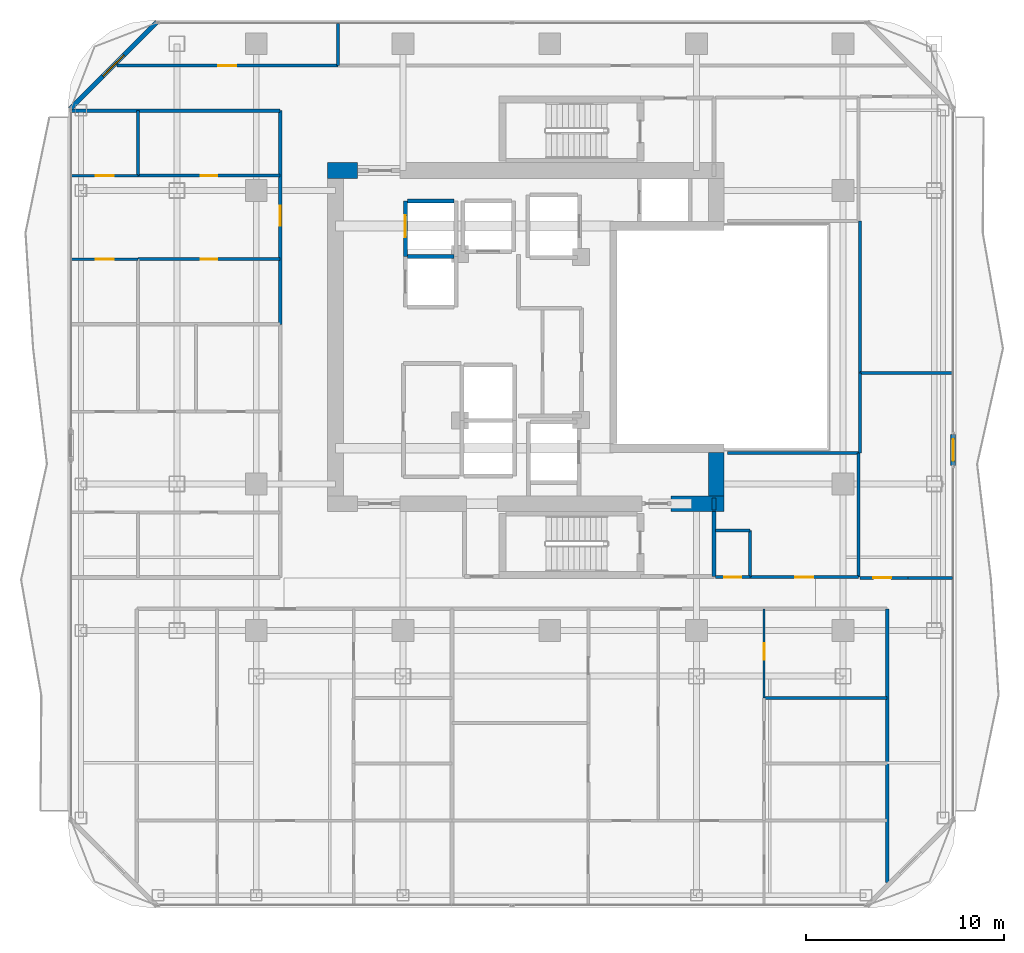
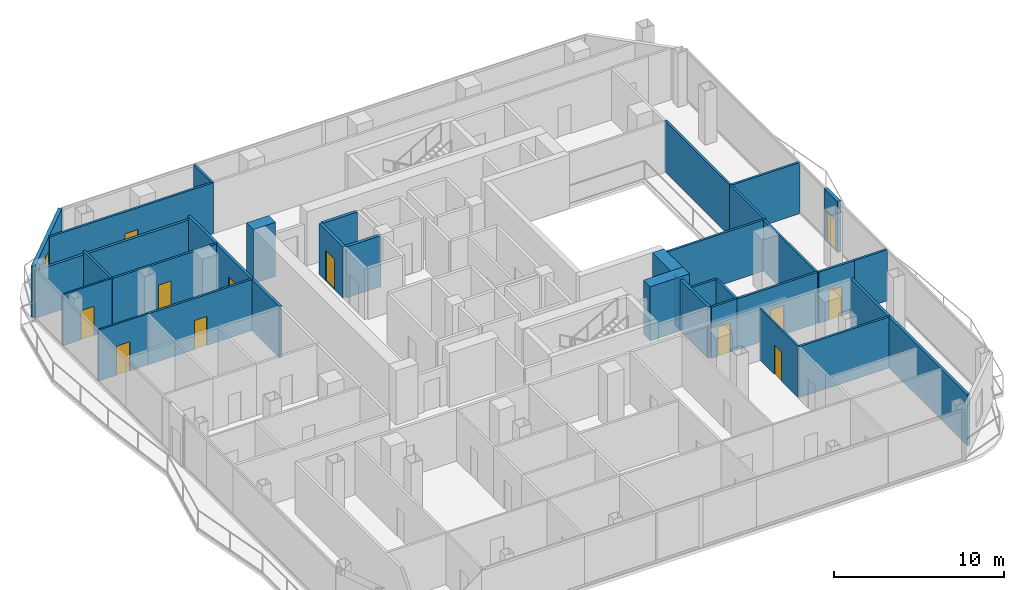
# One storey, part 19 of 23: 33 walls, 12 doors, 1 window, 13 openings.
"""IFC4 building model written with IfcOpenShell, lengths in metres."""

from ifc_helpers import new_model, si_unit, direction, frame, frame_2d, origin, place, context, subcontext, project, spatial, rectangle, extrude, material, layer, layer_set, type_object, element, fill, save


model = new_model("IFC4")

# Units and contexts
model_context = context("Model", 3, precision=1e-05, world=origin(), true_north=direction((0.0, 1.0)))
body_context = subcontext(model_context, "Body", "Model", "MODEL_VIEW")
ifc_project = project(units=[si_unit("LENGTHUNIT", "METRE"), si_unit("AREAUNIT", "SQUARE_METRE"), si_unit("VOLUMEUNIT", "CUBIC_METRE"), si_unit("PLANEANGLEUNIT", "RADIAN"), si_unit("MASSUNIT", "GRAM", prefix="KILO")], contexts=[model_context])

# Site, building, storey
site_placement = place(None, origin())
site = spatial("IfcSite", under=ifc_project, at=site_placement, CompositionType="ELEMENT")
building_placement = place(site_placement, origin())
building = spatial("IfcBuilding", under=site, at=building_placement, Name="Khorvyn Point Tower", CompositionType="ELEMENT")
storey_placement = place(building_placement, frame((0.0, 0.0, 199.199951171875)))
storey = spatial("IfcBuildingStorey", under=building, at=storey_placement, Name="L49", CompositionType="ELEMENT", Elevation=199.199951171875)

# Wall, opening, door
ifc_material_1 = material(Name="Double acoustic gypsum on twin steel stud", Category="steel")
ifc_layer_1 = layer(ifc_material_1, 0.179931640625)
ifc_layer_set_1 = layer_set([ifc_layer_1], Name="Acoustic Double-Stud Apartment Demising Wall 180")
wall_type_1 = type_object("IfcWallType", Name="Acoustic Double-Stud Apartment Demising Wall 180", PredefinedType="PARTITIONING", material=ifc_layer_set_1)
wall_1_placement = place(storey_placement, frame((-13.60009765625, 0.64404296875, 0.0), z_axis=(0.0, 0.0, 1.0), x_axis=(0.0, 1.0, 0.0)))
wall_1 = element("IfcWall", 1, at=wall_1_placement, inside=storey, type_object=wall_type_1, Name="Wall", PredefinedType="PARTITIONING", context=body_context, shape_type="SweptSolid", body=[
    extrude(rectangle(XDim=10.785888671875, YDim=0.179931640625, at=frame_2d((5.39306640625, 0.0))), origin(), (0.0, 0.0, 1.0), 3.679931640625),
])
opening_1_placement = place(wall_1_placement, frame((4.982421875, 0.0, 0.0)))
opening_1 = element("IfcOpeningElement", 2, at=opening_1_placement, cuts=wall_1, Name="Opening ID-AP60", PredefinedType="OPENING", context=body_context, shape_type="SweptSolid", body=[
    extrude(rectangle(XDim=1.0, YDim=2.199951171875, at=frame_2d((0.5, 1.10009765625))), frame((0.0, 0.099853515625, 0.0), z_axis=(0.0, -1.0, 0.0), x_axis=(1.0, 0.0, 0.0)), (0.0, 0.0, 1.0), 0.199951171875),
])
ifc_material_2 = material(Name="Engineered hardwood fire-rated leaf", Category="wood")
door_type_1 = type_object("IfcDoorType", Name="Acoustic Solid-Core Timber Apartment Entrance Door 1000x2200", OperationType="NOTDEFINED", PredefinedType="DOOR", material=ifc_material_2)
door_1_placement = place(opening_1_placement, origin())
door_1 = element("IfcDoor", 3, at=door_1_placement, inside=storey, type_object=door_type_1, Name="Door", OperationType="SINGLE_SWING_RIGHT", OverallHeight=2.199951171875, OverallWidth=1.0, PredefinedType="DOOR", context=body_context, shape_type="SweptSolid", body=[
    extrude(rectangle(XDim=1.0, YDim=2.199951171875, at=frame_2d((0.5, 1.10009765625))), frame((0.0, 0.02490234375, 0.0), z_axis=(0.0, -1.0, 0.0), x_axis=(1.0, 0.0, 0.0)), (0.0, 0.0, 1.0), 0.050048828125),
])
fill(opening_1, door_1)

# Walls
wall_2_placement = place(storey_placement, frame((17.02001953125, -27.510009765625, 0.0), z_axis=(0.0, 0.0, 1.0), x_axis=(0.0, 1.0, 0.0)))
element("IfcWall", 4, at=wall_2_placement, inside=storey, type_object=wall_type_1, Name="Wall", PredefinedType="PARTITIONING", context=body_context, shape_type="SweptSolid", body=[
    extrude(rectangle(XDim=13.81005859375, YDim=0.179931640625, at=frame_2d((6.905029296875, 0.0))), origin(), (0.0, 0.0, 1.0), 3.679931640625),
])
wall_3_placement = place(storey_placement, frame((-24.1298828125, 11.429931640625, 0.0), z_axis=(0.0, 0.0, 1.0), x_axis=(1.0, 0.0, 0.0)))
element("IfcWall", 5, at=wall_3_placement, inside=storey, type_object=wall_type_1, Name="Wall", PredefinedType="PARTITIONING", context=body_context, shape_type="SweptSolid", body=[
    extrude(rectangle(XDim=10.52978515625, YDim=0.179931640625, at=frame_2d((5.264892578125, 0.0))), origin(), (0.0, 0.0, 1.0), 3.420166015625),
])

# Wall, opening, door
ifc_material_3 = material(Name="Pale anodised aluminium rainscreen on steel stud", Category="steel")
ifc_layer_2 = layer(ifc_material_3, 0.239990234375)
ifc_layer_set_2 = layer_set([ifc_layer_2], Name="Anodised Aluminium Insulated Corner Spandrel Wall 240")
wall_type_2 = type_object("IfcWallType", Name="Anodised Aluminium Insulated Corner Spandrel Wall 240", PredefinedType="SOLIDWALL", material=ifc_layer_set_2)
wall_4_placement = place(storey_placement, frame((20.35009765625, -4.89990234375, 0.0), z_axis=(0.0, 0.0, 1.0), x_axis=(0.0, -1.0, 0.0)))
wall_4 = element("IfcWall", 6, at=wall_4_placement, inside=storey, type_object=wall_type_2, Name="L49 East Outdoor Threshold Wall", PredefinedType="SOLIDWALL", context=body_context, shape_type="SweptSolid", body=[
    extrude(rectangle(XDim=1.580078125, YDim=0.239990234375, at=frame_2d((0.7900390625, 0.0))), origin(), (0.0, 0.0, 1.0), 3.679931640625),
])
opening_2_placement = place(wall_4_placement, frame((0.239990234375, 0.0, 0.0)))
opening_2 = element("IfcOpeningElement", 7, at=opening_2_placement, cuts=wall_4, Name="Opening BD-1122", PredefinedType="OPENING", context=body_context, shape_type="SweptSolid", body=[
    extrude(rectangle(XDim=1.10009765625, YDim=2.199951171875, at=frame_2d((0.550048828125, 1.10009765625))), frame((0.0, 0.1298828125, 0.0), z_axis=(0.0, -1.0, 0.0), x_axis=(1.0, 0.0, 0.0)), (0.0, 0.0, 1.0), 0.260009765625),
])
ifc_material_4 = material(Name="Anodised aluminium 6063-T6 and laminated Low-E glass", Category="aluminium")
door_type_2 = type_object("IfcDoorType", Name="Glazed Balcony and Terrace Threshold Door 1100x2200", OperationType="NOTDEFINED", PredefinedType="DOOR", material=ifc_material_4)
door_2_placement = place(opening_2_placement, origin())
door_2 = element("IfcDoor", 8, at=door_2_placement, inside=storey, type_object=door_type_2, Name="L49 East Glazed Balcony Outdoor Door", OperationType="SINGLE_SWING_LEFT", OverallHeight=2.199951171875, OverallWidth=1.10009765625, PredefinedType="DOOR", context=body_context, shape_type="SweptSolid", body=[
    extrude(rectangle(XDim=1.10009765625, YDim=2.199951171875, at=frame_2d((0.550048828125, 1.10009765625))), frame((0.0, 0.02490234375, 0.0), z_axis=(0.0, -1.0, 0.0), x_axis=(1.0, 0.0, 0.0)), (0.0, 0.0, 1.0), 0.050048828125),
])
fill(opening_2, door_2)

# Wall, opening, window
wall_5_placement = place(storey_placement, frame((-24.1923828125, 11.507568359375, 0.0), z_axis=(0.0, 0.0, 1.0), x_axis=(0.707106781187, 0.707106781187, 0.0)))
wall_5 = element("IfcWall", 9, at=wall_5_placement, inside=storey, type_object=wall_type_2, Name="L49 Rounded Corner Wall NW", PredefinedType="SOLIDWALL", context=body_context, shape_type="SweptSolid", body=[
    extrude(rectangle(XDim=6.200927734375, YDim=0.239990234375, at=frame_2d((3.1005859375, 0.0))), origin(), (0.0, 0.0, 1.0), 3.679931640625),
])
opening_3_placement = place(wall_5_placement, frame((2.3505859375, 0.0, 0.800048828125)))
opening_3 = element("IfcOpeningElement", 10, at=opening_3_placement, cuts=wall_5, Name="Opening WN-1518", PredefinedType="OPENING", context=body_context, shape_type="SweptSolid", body=[
    extrude(rectangle(XDim=1.5, YDim=1.85009765625, at=frame_2d((0.75, 0.925048828125))), frame((0.0, 0.1298828125, 0.0), z_axis=(0.0, -1.0, 0.0), x_axis=(1.0, 0.0, 0.0)), (0.0, 0.0, 1.0), 0.260009765625),
])
window_type = type_object("IfcWindowType", Name="Anodised Aluminium Rounded-Corner Panoramic Window 1500x1850", PartitioningType="SINGLE_PANEL", PredefinedType="WINDOW", material=ifc_material_4)
window_placement = place(opening_3_placement, origin())
window = element("IfcWindow", 11, at=window_placement, inside=storey, type_object=window_type, Name="L49 Corner Panoramic Window NW", OverallHeight=1.85009765625, OverallWidth=1.5, PartitioningType="SINGLE_PANEL", PredefinedType="WINDOW", context=body_context, shape_type="SweptSolid", body=[
    extrude(rectangle(XDim=1.5, YDim=1.85009765625, at=frame_2d((0.75, 0.925048828125))), frame((0.0, 0.030029296875, 0.0), z_axis=(0.0, -1.0, 0.0), x_axis=(1.0, 0.0, 0.0)), (0.0, 0.0, 1.0), 0.06005859375),
])
fill(opening_3, window)

# Walls
ifc_material_5 = material(Name="Concrete C40/50", Category="concrete")
ifc_layer_3 = layer(ifc_material_5, 0.199951171875)
ifc_layer_set_3 = layer_set([ifc_layer_3], Name="Concrete C40/50 Fire-Lobby Compartment Wall 200")
wall_type_3 = type_object("IfcWallType", Name="Concrete C40/50 Fire-Lobby Compartment Wall 200", PredefinedType="SOLIDWALL", material=ifc_layer_set_3)
wall_6_placement = place(storey_placement, frame((8.280029296875, -12.06005859375, 0.0), z_axis=(0.0, 0.0, 1.0), x_axis=(0.0, 1.0, 0.0)))
element("IfcWall", 12, at=wall_6_placement, inside=storey, type_object=wall_type_3, Name="Wall", PredefinedType="SOLIDWALL", context=body_context, shape_type="SweptSolid", body=[
    extrude(rectangle(XDim=3.260009765625, YDim=0.199951171875, at=frame_2d((1.6298828125, 0.0))), origin(), (0.0, 0.0, 1.0), 3.679931640625),
])
wall_7_placement = place(storey_placement, frame((8.280029296875, -8.72509765625, 0.0), z_axis=(0.0, 0.0, 1.0), x_axis=(0.0, 1.0, 0.0)))
element("IfcWall", 13, at=wall_7_placement, inside=storey, type_object=wall_type_3, Name="Wall", PredefinedType="SOLIDWALL", context=body_context, shape_type="SweptSolid", body=[
    extrude(rectangle(XDim=0.625, YDim=0.199951171875, at=frame_2d((0.3125, 0.0))), origin(), (0.0, 0.0, 1.0), 3.679931640625),
])
ifc_layer_4 = layer(ifc_material_5, 0.199951171875)
ifc_layer_set_4 = layer_set([ifc_layer_4], Name="Concrete C40/50 Structural Hoistway and Stair Shaft Wall 200")
wall_type_4 = type_object("IfcWallType", Name="Concrete C40/50 Structural Hoistway and Stair Shaft Wall 200", PredefinedType="SHEAR", material=ifc_layer_set_4)
wall_8_placement = place(storey_placement, frame((-7.175048828125, 4.074951171875, 0.0), z_axis=(0.0, 0.0, 1.0), x_axis=(1.0, 0.0, 0.0)))
element("IfcWall", 14, at=wall_8_placement, inside=storey, type_object=wall_type_4, Name="Wall", PredefinedType="SHEAR", context=body_context, shape_type="SweptSolid", body=[
    extrude(rectangle(XDim=2.35009765625, YDim=0.199951171875, at=frame_2d((1.175048828125, 0.0))), origin(), (0.0, 0.0, 1.0), 3.679931640625),
])

# Wall, opening, door
wall_9_placement = place(storey_placement, frame((-7.27490234375, 4.074951171875, 0.0), z_axis=(0.0, 0.0, 1.0), x_axis=(0.0, 1.0, 0.0)))
wall_9 = element("IfcWall", 15, at=wall_9_placement, inside=storey, type_object=wall_type_4, Name="Wall", PredefinedType="SHEAR", context=body_context, shape_type="SweptSolid", body=[
    extrude(rectangle(XDim=2.800048828125, YDim=0.199951171875, at=frame_2d((1.39990234375, 0.0))), origin(), (0.0, 0.0, 1.0), 3.679931640625),
])
opening_4_placement = place(wall_9_placement, frame((0.97509765625, 0.0, 0.0)))
opening_4 = element("IfcOpeningElement", 16, at=opening_4_placement, cuts=wall_9, Name="Opening LD-1122", PredefinedType="OPENING", context=body_context, shape_type="SweptSolid", body=[
    extrude(rectangle(XDim=1.10009765625, YDim=2.199951171875, at=frame_2d((0.550048828125, 1.10009765625))), frame((0.0, 0.10986328125, 0.0), z_axis=(0.0, -1.0, 0.0), x_axis=(1.0, 0.0, 0.0)), (0.0, 0.0, 1.0), 0.219970703125),
])
ifc_material_6 = material(Name="Stainless steel 1.4301", Category="steel")
door_type_3 = type_object("IfcDoorType", Name="Stainless Steel Automatic Sliding Lift Landing Door 1100x2200", OperationType="SLIDING_TO_LEFT", PredefinedType="DOOR", material=ifc_material_6)
door_3_placement = place(opening_4_placement, origin())
door_3 = element("IfcDoor", 17, at=door_3_placement, inside=storey, type_object=door_type_3, Name="L49 RM-02 Sliding Lift Landing Door", OperationType="SLIDING_TO_LEFT", OverallHeight=2.199951171875, OverallWidth=1.10009765625, PredefinedType="DOOR", context=body_context, shape_type="SweptSolid", body=[
    extrude(rectangle(XDim=1.10009765625, YDim=2.199951171875, at=frame_2d((0.550048828125, 1.10009765625))), frame((0.0, 0.02490234375, 0.0), z_axis=(0.0, -1.0, 0.0), x_axis=(1.0, 0.0, 0.0)), (0.0, 0.0, 1.0), 0.050048828125),
])
fill(opening_4, door_3)

# Walls
wall_10_placement = place(storey_placement, frame((-7.175048828125, 6.875, 0.0), z_axis=(0.0, 0.0, 1.0), x_axis=(1.0, 0.0, 0.0)))
element("IfcWall", 18, at=wall_10_placement, inside=storey, type_object=wall_type_4, Name="Wall", PredefinedType="SHEAR", context=body_context, shape_type="SweptSolid", body=[
    extrude(rectangle(XDim=2.35009765625, YDim=0.199951171875, at=frame_2d((1.175048828125, 0.0))), origin(), (0.0, 0.0, 1.0), 3.679931640625),
])
ifc_material_7 = material(Name="Concrete C45/55", Category="concrete")
ifc_layer_5 = layer(ifc_material_7, 0.800048828125)
ifc_layer_set_5 = layer_set([ifc_layer_5], Name="Concrete C45/55 Core Shear Wall 800")
wall_type_5 = type_object("IfcWallType", Name="Concrete C45/55 Core Shear Wall 800", PredefinedType="SHEAR", material=ifc_layer_set_5)
wall_11_placement = place(storey_placement, frame((6.1201171875, -8.39990234375, 0.0), z_axis=(0.0, 0.0, 1.0), x_axis=(1.0, 0.0, 0.0)))
element("IfcWall", 19, at=wall_11_placement, inside=storey, type_object=wall_type_5, Name="Wall", PredefinedType="SHEAR", context=body_context, shape_type="SweptSolid", body=[
    extrude(rectangle(XDim=2.679931640625, YDim=0.800048828125, at=frame_2d((1.33984375, 0.0))), origin(), (0.0, 0.0, 1.0), 3.900146484375),
])
wall_12_placement = place(storey_placement, frame((-11.199951171875, 8.39990234375, 0.0), z_axis=(0.0, 0.0, 1.0), x_axis=(1.0, 0.0, 0.0)))
element("IfcWall", 20, at=wall_12_placement, inside=storey, type_object=wall_type_5, Name="Wall", PredefinedType="SHEAR", context=body_context, shape_type="SweptSolid", body=[
    extrude(rectangle(XDim=1.5, YDim=0.800048828125, at=frame_2d((0.75, 0.0))), origin(), (0.0, 0.0, 1.0), 3.900146484375),
])
wall_13_placement = place(storey_placement, frame((8.39990234375, -8.0, 0.0), z_axis=(0.0, 0.0, 1.0), x_axis=(0.0, 1.0, 0.0)))
element("IfcWall", 21, at=wall_13_placement, inside=storey, type_object=wall_type_5, Name="Wall", PredefinedType="SHEAR", context=body_context, shape_type="SweptSolid", body=[
    extrude(rectangle(XDim=2.175048828125, YDim=0.800048828125, at=frame_2d((1.08740234375, 0.0))), origin(), (0.0, 0.0, 1.0), 3.900146484375),
])

# Wall, opening, door
ifc_material_8 = material(Name="Gypsum plasterboard on steel stud", Category="steel")
ifc_layer_6 = layer(ifc_material_8, 0.1201171875)
ifc_layer_set_6 = layer_set([ifc_layer_6], Name="Gypsum Acoustic Stud Room Partition Wall 120")
wall_type_6 = type_object("IfcWallType", Name="Gypsum Acoustic Stud Room Partition Wall 120", PredefinedType="PARTITIONING", material=ifc_layer_set_6)
wall_14_placement = place(storey_placement, frame((10.81396484375, -18.18994140625, 0.0), z_axis=(0.0, 0.0, 1.0), x_axis=(0.0, 1.0, 0.0)))
wall_14 = element("IfcWall", 22, at=wall_14_placement, inside=storey, type_object=wall_type_6, Name="Wall", PredefinedType="PARTITIONING", context=body_context, shape_type="SweptSolid", body=[
    extrude(rectangle(XDim=4.489990234375, YDim=0.1201171875, at=frame_2d((2.2451171875, 0.0))), origin(), (0.0, 0.0, 1.0), 3.679931640625),
])
opening_5_placement = place(wall_14_placement, frame((1.907470703125, 0.0, 0.0)))
opening_5 = element("IfcOpeningElement", 23, at=opening_5_placement, cuts=wall_14, Name="Opening ID-WC85", PredefinedType="OPENING", context=body_context, shape_type="SweptSolid", body=[
    extrude(rectangle(XDim=0.85009765625, YDim=2.10009765625, at=frame_2d((0.425048828125, 1.050048828125))), frame((0.0, 0.070068359375, 0.0), z_axis=(0.0, -1.0, 0.0), x_axis=(1.0, 0.0, 0.0)), (0.0, 0.0, 1.0), 0.14013671875),
])
ifc_material_9 = material(Name="High-pressure laminate on moisture-resistant core", Category="wood")
door_type_4 = type_object("IfcDoorType", Name="Moisture-Resistant Accessible Washroom Door 850x2100", OperationType="NOTDEFINED", PredefinedType="DOOR", material=ifc_material_9)
door_4_placement = place(opening_5_placement, origin())
door_4 = element("IfcDoor", 24, at=door_4_placement, inside=storey, type_object=door_type_4, Name="Door", OperationType="SINGLE_SWING_RIGHT", OverallHeight=2.10009765625, OverallWidth=0.85009765625, PredefinedType="DOOR", context=body_context, shape_type="SweptSolid", body=[
    extrude(rectangle(XDim=0.85009765625, YDim=2.10009765625, at=frame_2d((0.425048828125, 1.050048828125))), frame((0.0, 0.02490234375, 0.0), z_axis=(0.0, -1.0, 0.0), x_axis=(1.0, 0.0, 0.0)), (0.0, 0.0, 1.0), 0.050048828125),
])
fill(opening_5, door_4)

wall_15_placement = place(storey_placement, frame((-24.1298828125, 3.93896484375, 0.0), z_axis=(0.0, 0.0, 1.0), x_axis=(1.0, 0.0, 0.0)))
wall_15 = element("IfcWall", 25, at=wall_15_placement, inside=storey, type_object=wall_type_6, Name="Wall", PredefinedType="PARTITIONING", context=body_context, shape_type="SweptSolid", body=[
    extrude(rectangle(XDim=3.36083984375, YDim=0.1201171875, at=frame_2d((1.680419921875, 0.0))), origin(), (0.0, 0.0, 1.0), 3.679931640625),
])
opening_6_placement = place(wall_15_placement, frame((1.23046875, 0.0, 0.0)))
opening_6 = element("IfcOpeningElement", 26, at=opening_6_placement, cuts=wall_15, Name="Opening ID-RM90", PredefinedType="OPENING", context=body_context, shape_type="SweptSolid", body=[
    extrude(rectangle(XDim=0.89990234375, YDim=2.10009765625, at=frame_2d((0.449951171875, 1.050048828125))), frame((0.0, 0.070068359375, 0.0), z_axis=(0.0, -1.0, 0.0), x_axis=(1.0, 0.0, 0.0)), (0.0, 0.0, 1.0), 0.14013671875),
])
ifc_material_10 = material(Name="Engineered oak veneer timber", Category="wood")
door_type_5 = type_object("IfcDoorType", Name="Flush Engineered Timber Room Door 900x2100", OperationType="NOTDEFINED", PredefinedType="DOOR", material=ifc_material_10)
door_5_placement = place(opening_6_placement, origin())
door_5 = element("IfcDoor", 27, at=door_5_placement, inside=storey, type_object=door_type_5, Name="Door", OperationType="SINGLE_SWING_LEFT", OverallHeight=2.10009765625, OverallWidth=0.89990234375, PredefinedType="DOOR", context=body_context, shape_type="SweptSolid", body=[
    extrude(rectangle(XDim=0.89990234375, YDim=2.10009765625, at=frame_2d((0.449951171875, 1.050048828125))), frame((0.0, 0.02490234375, 0.0), z_axis=(0.0, -1.0, 0.0), x_axis=(1.0, 0.0, 0.0)), (0.0, 0.0, 1.0), 0.050048828125),
])
fill(opening_6, door_5)

wall_16_placement = place(storey_placement, frame((-24.1298828125, 8.14599609375, 0.0), z_axis=(0.0, 0.0, 1.0), x_axis=(1.0, 0.0, 0.0)))
wall_16 = element("IfcWall", 28, at=wall_16_placement, inside=storey, type_object=wall_type_6, Name="Wall", PredefinedType="PARTITIONING", context=body_context, shape_type="SweptSolid", body=[
    extrude(rectangle(XDim=3.36083984375, YDim=0.1201171875, at=frame_2d((1.680419921875, 0.0))), origin(), (0.0, 0.0, 1.0), 3.679931640625),
])
opening_7_placement = place(wall_16_placement, frame((1.23046875, 0.0, 0.0)))
opening_7 = element("IfcOpeningElement", 29, at=opening_7_placement, cuts=wall_16, Name="Opening ID-RM90", PredefinedType="OPENING", context=body_context, shape_type="SweptSolid", body=[
    extrude(rectangle(XDim=0.89990234375, YDim=2.10009765625, at=frame_2d((0.449951171875, 1.050048828125))), frame((0.0, 0.070068359375, 0.0), z_axis=(0.0, -1.0, 0.0), x_axis=(1.0, 0.0, 0.0)), (0.0, 0.0, 1.0), 0.14013671875),
])
door_6_placement = place(opening_7_placement, origin())
door_6 = element("IfcDoor", 30, at=door_6_placement, inside=storey, type_object=door_type_5, Name="Door", OperationType="SINGLE_SWING_RIGHT", OverallHeight=2.10009765625, OverallWidth=0.89990234375, PredefinedType="DOOR", context=body_context, shape_type="SweptSolid", body=[
    extrude(rectangle(XDim=0.89990234375, YDim=2.10009765625, at=frame_2d((0.449951171875, 1.050048828125))), frame((0.0, 0.02490234375, 0.0), z_axis=(0.0, -1.0, 0.0), x_axis=(1.0, 0.0, 0.0)), (0.0, 0.0, 1.0), 0.050048828125),
])
fill(opening_7, door_6)

ifc_material_11 = material(Name="Moisture-resistant gypsum and cement board", Category="gypsum")
ifc_layer_7 = layer(ifc_material_11, 0.14990234375)
ifc_layer_set_7 = layer_set([ifc_layer_7], Name="Moisture-Resistant Wet-Room Partition Wall 150")
wall_type_7 = type_object("IfcWallType", Name="Moisture-Resistant Wet-Room Partition Wall 150", PredefinedType="PARTITIONING", material=ifc_layer_set_7)
wall_17_placement = place(storey_placement, frame((8.360107421875, -12.10009765625, 0.0), z_axis=(0.0, 0.0, 1.0), x_axis=(1.0, 0.0, 0.0)))
wall_17 = element("IfcWall", 31, at=wall_17_placement, inside=storey, type_object=wall_type_7, Name="Wall", PredefinedType="PARTITIONING", context=body_context, shape_type="SweptSolid", body=[
    extrude(rectangle(XDim=1.739990234375, YDim=0.14990234375, at=frame_2d((0.8701171875, 0.0))), origin(), (0.0, 0.0, 1.0), 3.679931640625),
])
opening_8_placement = place(wall_17_placement, frame((0.445068359375, 0.0, 0.0)))
opening_8 = element("IfcOpeningElement", 32, at=opening_8_placement, cuts=wall_17, Name="Opening ID-WC85", PredefinedType="OPENING", context=body_context, shape_type="SweptSolid", body=[
    extrude(rectangle(XDim=0.85009765625, YDim=2.10009765625, at=frame_2d((0.425048828125, 1.050048828125))), frame((0.0, 0.0849609375, 0.0), z_axis=(0.0, -1.0, 0.0), x_axis=(1.0, 0.0, 0.0)), (0.0, 0.0, 1.0), 0.169921875),
])
door_7_placement = place(opening_8_placement, origin())
door_7 = element("IfcDoor", 33, at=door_7_placement, inside=storey, type_object=door_type_4, Name="Door", OperationType="SINGLE_SWING_RIGHT", OverallHeight=2.10009765625, OverallWidth=0.85009765625, PredefinedType="DOOR", context=body_context, shape_type="SweptSolid", body=[
    extrude(rectangle(XDim=0.85009765625, YDim=2.10009765625, at=frame_2d((0.425048828125, 1.050048828125))), frame((0.0, 0.02490234375, 0.0), z_axis=(0.0, -1.0, 0.0), x_axis=(1.0, 0.0, 0.0)), (0.0, 0.0, 1.0), 0.050048828125),
])
fill(opening_8, door_7)

wall_18_placement = place(storey_placement, frame((10.10009765625, -12.10009765625, 0.0), z_axis=(0.0, 0.0, 1.0), x_axis=(1.0, 0.0, 0.0)))
wall_18 = element("IfcWall", 34, at=wall_18_placement, inside=storey, type_object=wall_type_7, Name="Wall", PredefinedType="PARTITIONING", context=body_context, shape_type="SweptSolid", body=[
    extrude(rectangle(XDim=5.47998046875, YDim=0.14990234375, at=frame_2d((2.739990234375, 0.0))), origin(), (0.0, 0.0, 1.0), 3.679931640625),
])
opening_9_placement = place(wall_18_placement, frame((2.2900390625, 0.0, 0.0)))
opening_9 = element("IfcOpeningElement", 35, at=opening_9_placement, cuts=wall_18, Name="Opening ID-RM90", PredefinedType="OPENING", context=body_context, shape_type="SweptSolid", body=[
    extrude(rectangle(XDim=0.89990234375, YDim=2.10009765625, at=frame_2d((0.449951171875, 1.050048828125))), frame((0.0, 0.0849609375, 0.0), z_axis=(0.0, -1.0, 0.0), x_axis=(1.0, 0.0, 0.0)), (0.0, 0.0, 1.0), 0.169921875),
])
door_8_placement = place(opening_9_placement, origin())
door_8 = element("IfcDoor", 36, at=door_8_placement, inside=storey, type_object=door_type_5, Name="Door", OperationType="SINGLE_SWING_LEFT", OverallHeight=2.10009765625, OverallWidth=0.89990234375, PredefinedType="DOOR", context=body_context, shape_type="SweptSolid", body=[
    extrude(rectangle(XDim=0.89990234375, YDim=2.10009765625, at=frame_2d((0.449951171875, 1.050048828125))), frame((0.0, 0.02490234375, 0.0), z_axis=(0.0, -1.0, 0.0), x_axis=(1.0, 0.0, 0.0)), (0.0, 0.0, 1.0), 0.050048828125),
])
fill(opening_9, door_8)

wall_19_placement = place(storey_placement, frame((-21.830078125, 13.699951171875, 0.0), z_axis=(0.0, 0.0, 1.0), x_axis=(1.0, 0.0, 0.0)))
wall_19 = element("IfcWall", 37, at=wall_19_placement, inside=storey, type_object=wall_type_7, Name="Wall", PredefinedType="PARTITIONING", context=body_context, shape_type="SweptSolid", body=[
    extrude(rectangle(XDim=11.14306640625, YDim=0.14990234375, at=frame_2d((5.571533203125, 0.0))), origin(), (0.0, 0.0, 1.0), 3.679931640625),
])
opening_10_placement = place(wall_19_placement, frame((5.12158203125, 0.0, 0.0)))
opening_10 = element("IfcOpeningElement", 38, at=opening_10_placement, cuts=wall_19, Name="Opening ID-RM90", PredefinedType="OPENING", context=body_context, shape_type="SweptSolid", body=[
    extrude(rectangle(XDim=0.89990234375, YDim=2.10009765625, at=frame_2d((0.449951171875, 1.050048828125))), frame((0.0, 0.0849609375, 0.0), z_axis=(0.0, -1.0, 0.0), x_axis=(1.0, 0.0, 0.0)), (0.0, 0.0, 1.0), 0.169921875),
])
door_9_placement = place(opening_10_placement, origin())
door_9 = element("IfcDoor", 39, at=door_9_placement, inside=storey, type_object=door_type_5, Name="Door", OperationType="SINGLE_SWING_LEFT", OverallHeight=2.10009765625, OverallWidth=0.89990234375, PredefinedType="DOOR", context=body_context, shape_type="SweptSolid", body=[
    extrude(rectangle(XDim=0.89990234375, YDim=2.10009765625, at=frame_2d((0.449951171875, 1.050048828125))), frame((0.0, 0.02490234375, 0.0), z_axis=(0.0, -1.0, 0.0), x_axis=(1.0, 0.0, 0.0)), (0.0, 0.0, 1.0), 0.050048828125),
])
fill(opening_10, door_9)

wall_20_placement = place(storey_placement, frame((-20.76904296875, 8.14599609375, 0.0), z_axis=(0.0, 0.0, 1.0), x_axis=(1.0, 0.0, 0.0)))
wall_20 = element("IfcWall", 40, at=wall_20_placement, inside=storey, type_object=wall_type_7, Name="Wall", PredefinedType="PARTITIONING", context=body_context, shape_type="SweptSolid", body=[
    extrude(rectangle(XDim=7.1689453125, YDim=0.14990234375, at=frame_2d((3.58447265625, 0.0))), origin(), (0.0, 0.0, 1.0), 3.679931640625),
])
opening_11_placement = place(wall_20_placement, frame((3.159423828125, 0.0, 0.0)))
opening_11 = element("IfcOpeningElement", 41, at=opening_11_placement, cuts=wall_20, Name="Opening ID-WC85", PredefinedType="OPENING", context=body_context, shape_type="SweptSolid", body=[
    extrude(rectangle(XDim=0.85009765625, YDim=2.10009765625, at=frame_2d((0.425048828125, 1.050048828125))), frame((0.0, 0.0849609375, 0.0), z_axis=(0.0, -1.0, 0.0), x_axis=(1.0, 0.0, 0.0)), (0.0, 0.0, 1.0), 0.169921875),
])
door_10_placement = place(opening_11_placement, origin())
door_10 = element("IfcDoor", 42, at=door_10_placement, inside=storey, type_object=door_type_4, Name="Door", OperationType="SINGLE_SWING_LEFT", OverallHeight=2.10009765625, OverallWidth=0.85009765625, PredefinedType="DOOR", context=body_context, shape_type="SweptSolid", body=[
    extrude(rectangle(XDim=0.85009765625, YDim=2.10009765625, at=frame_2d((0.425048828125, 1.050048828125))), frame((0.0, 0.02490234375, 0.0), z_axis=(0.0, -1.0, 0.0), x_axis=(1.0, 0.0, 0.0)), (0.0, 0.0, 1.0), 0.050048828125),
])
fill(opening_11, door_10)

wall_21_placement = place(storey_placement, frame((-20.76904296875, 3.93896484375, 0.0), z_axis=(0.0, 0.0, 1.0), x_axis=(1.0, 0.0, 0.0)))
wall_21 = element("IfcWall", 43, at=wall_21_placement, inside=storey, type_object=wall_type_7, Name="Wall", PredefinedType="PARTITIONING", context=body_context, shape_type="SweptSolid", body=[
    extrude(rectangle(XDim=7.1689453125, YDim=0.14990234375, at=frame_2d((3.58447265625, 0.0))), origin(), (0.0, 0.0, 1.0), 3.679931640625),
])
opening_12_placement = place(wall_21_placement, frame((3.159423828125, 0.0, 0.0)))
opening_12 = element("IfcOpeningElement", 44, at=opening_12_placement, cuts=wall_21, Name="Opening ID-WC85", PredefinedType="OPENING", context=body_context, shape_type="SweptSolid", body=[
    extrude(rectangle(XDim=0.85009765625, YDim=2.10009765625, at=frame_2d((0.425048828125, 1.050048828125))), frame((0.0, 0.0849609375, 0.0), z_axis=(0.0, -1.0, 0.0), x_axis=(1.0, 0.0, 0.0)), (0.0, 0.0, 1.0), 0.169921875),
])
door_11_placement = place(opening_12_placement, origin())
door_11 = element("IfcDoor", 45, at=door_11_placement, inside=storey, type_object=door_type_4, Name="Door", OperationType="SINGLE_SWING_RIGHT", OverallHeight=2.10009765625, OverallWidth=0.85009765625, PredefinedType="DOOR", context=body_context, shape_type="SweptSolid", body=[
    extrude(rectangle(XDim=0.85009765625, YDim=2.10009765625, at=frame_2d((0.425048828125, 1.050048828125))), frame((0.0, 0.02490234375, 0.0), z_axis=(0.0, -1.0, 0.0), x_axis=(1.0, 0.0, 0.0)), (0.0, 0.0, 1.0), 0.050048828125),
])
fill(opening_12, door_11)

wall_22_placement = place(storey_placement, frame((15.64990234375, -12.139892578125, 0.0), z_axis=(0.0, 0.0, 1.0), x_axis=(1.0, 0.0, 0.0)))
wall_22 = element("IfcWall", 46, at=wall_22_placement, inside=storey, type_object=wall_type_7, Name="Wall", PredefinedType="PARTITIONING", context=body_context, shape_type="SweptSolid", body=[
    extrude(rectangle(XDim=2.420166015625, YDim=0.14990234375, at=frame_2d((1.2099609375, 0.0))), origin(), (0.0, 0.0, 1.0), 3.679931640625),
])
opening_13_placement = place(wall_22_placement, frame((0.67431640625, 0.0, 0.0)))
opening_13 = element("IfcOpeningElement", 47, at=opening_13_placement, cuts=wall_22, Name="Opening ID-RM90", PredefinedType="OPENING", context=body_context, shape_type="SweptSolid", body=[
    extrude(rectangle(XDim=0.89990234375, YDim=2.10009765625, at=frame_2d((0.449951171875, 1.050048828125))), frame((0.0, 0.0849609375, 0.0), z_axis=(0.0, -1.0, 0.0), x_axis=(1.0, 0.0, 0.0)), (0.0, 0.0, 1.0), 0.169921875),
])
door_12_placement = place(opening_13_placement, origin())
door_12 = element("IfcDoor", 48, at=door_12_placement, inside=storey, type_object=door_type_5, Name="Door", OperationType="SINGLE_SWING_LEFT", OverallHeight=2.10009765625, OverallWidth=0.89990234375, PredefinedType="DOOR", context=body_context, shape_type="SweptSolid", body=[
    extrude(rectangle(XDim=0.89990234375, YDim=2.10009765625, at=frame_2d((0.449951171875, 1.050048828125))), frame((0.0, 0.02490234375, 0.0), z_axis=(0.0, -1.0, 0.0), x_axis=(1.0, 0.0, 0.0)), (0.0, 0.0, 1.0), 0.050048828125),
])
fill(opening_13, door_12)

# Walls
wall_23_placement = place(storey_placement, frame((8.360107421875, -9.75, 0.0), z_axis=(0.0, 0.0, 1.0), x_axis=(1.0, 0.0, 0.0)))
element("IfcWall", 49, at=wall_23_placement, inside=storey, type_object=wall_type_7, Name="Wall", PredefinedType="PARTITIONING", context=body_context, shape_type="SweptSolid", body=[
    extrude(rectangle(XDim=1.739990234375, YDim=0.14990234375, at=frame_2d((0.8701171875, 0.0))), origin(), (0.0, 0.0, 1.0), 3.679931640625),
])
wall_24_placement = place(storey_placement, frame((10.10009765625, -12.10009765625, 0.0), z_axis=(0.0, 0.0, 1.0), x_axis=(0.0, 1.0, 0.0)))
element("IfcWall", 50, at=wall_24_placement, inside=storey, type_object=wall_type_7, Name="Wall", PredefinedType="PARTITIONING", context=body_context, shape_type="SweptSolid", body=[
    extrude(rectangle(XDim=2.35009765625, YDim=0.14990234375, at=frame_2d((1.175048828125, 0.0))), origin(), (0.0, 0.0, 1.0), 3.679931640625),
])
wall_25_placement = place(storey_placement, frame((15.580078125, -12.10009765625, 0.0), z_axis=(0.0, 0.0, 1.0), x_axis=(0.0, 1.0, 0.0)))
element("IfcWall", 51, at=wall_25_placement, inside=storey, type_object=wall_type_7, Name="Wall", PredefinedType="PARTITIONING", context=body_context, shape_type="SweptSolid", body=[
    extrude(rectangle(XDim=6.25, YDim=0.14990234375, at=frame_2d((3.125, 0.0))), origin(), (0.0, 0.0, 1.0), 3.679931640625),
])
wall_26_placement = place(storey_placement, frame((8.9599609375, -5.85009765625, 0.0), z_axis=(0.0, 0.0, 1.0), x_axis=(1.0, 0.0, 0.0)))
element("IfcWall", 52, at=wall_26_placement, inside=storey, type_object=wall_type_7, Name="Wall", PredefinedType="PARTITIONING", context=body_context, shape_type="SweptSolid", body=[
    extrude(rectangle(XDim=6.6201171875, YDim=0.14990234375, at=frame_2d((3.31005859375, 0.0))), origin(), (0.0, 0.0, 1.0), 3.679931640625),
])
wall_27_placement = place(storey_placement, frame((-10.68701171875, 13.699951171875, 0.0), z_axis=(0.0, 0.0, 1.0), x_axis=(0.0, 1.0, 0.0)))
element("IfcWall", 53, at=wall_27_placement, inside=storey, type_object=wall_type_7, Name="Wall", PredefinedType="PARTITIONING", context=body_context, shape_type="SweptSolid", body=[
    extrude(rectangle(XDim=2.130126953125, YDim=0.14990234375, at=frame_2d((1.06494140625, 0.0))), origin(), (0.0, 0.0, 1.0), 3.679931640625),
])
wall_28_placement = place(storey_placement, frame((10.81396484375, -18.18994140625, 0.0), z_axis=(0.0, 0.0, 1.0), x_axis=(1.0, 0.0, 0.0)))
element("IfcWall", 54, at=wall_28_placement, inside=storey, type_object=wall_type_7, Name="Wall", PredefinedType="PARTITIONING", context=body_context, shape_type="SweptSolid", body=[
    extrude(rectangle(XDim=6.2060546875, YDim=0.14990234375, at=frame_2d((3.10302734375, 0.0))), origin(), (0.0, 0.0, 1.0), 3.679931640625),
])
wall_29_placement = place(storey_placement, frame((-20.76904296875, 8.14599609375, 0.0), z_axis=(0.0, 0.0, 1.0), x_axis=(0.0, 1.0, 0.0)))
element("IfcWall", 55, at=wall_29_placement, inside=storey, type_object=wall_type_7, Name="Wall", PredefinedType="PARTITIONING", context=body_context, shape_type="SweptSolid", body=[
    extrude(rectangle(XDim=3.283935546875, YDim=0.14990234375, at=frame_2d((1.64208984375, 0.0))), origin(), (0.0, 0.0, 1.0), 3.679931640625),
])
wall_30_placement = place(storey_placement, frame((15.64990234375, -5.85009765625, 0.0), z_axis=(0.0, 0.0, 1.0), x_axis=(0.0, 1.0, 0.0)))
element("IfcWall", 56, at=wall_30_placement, inside=storey, type_object=wall_type_7, Name="Wall", PredefinedType="PARTITIONING", context=body_context, shape_type="SweptSolid", body=[
    extrude(rectangle(XDim=4.050048828125, YDim=0.14990234375, at=frame_2d((2.02490234375, 0.0))), origin(), (0.0, 0.0, 1.0), 3.679931640625),
])
wall_31_placement = place(storey_placement, frame((15.64990234375, -1.800048828125, 0.0), z_axis=(0.0, 0.0, 1.0), x_axis=(0.0, 1.0, 0.0)))
element("IfcWall", 57, at=wall_31_placement, inside=storey, type_object=wall_type_7, Name="Wall", PredefinedType="PARTITIONING", context=body_context, shape_type="SweptSolid", body=[
    extrude(rectangle(XDim=7.650146484375, YDim=0.14990234375, at=frame_2d((3.8251953125, 0.0))), origin(), (0.0, 0.0, 1.0), 3.679931640625),
])
wall_32_placement = place(storey_placement, frame((15.64990234375, -1.800048828125, 0.0), z_axis=(0.0, 0.0, 1.0), x_axis=(1.0, 0.0, 0.0)))
element("IfcWall", 58, at=wall_32_placement, inside=storey, type_object=wall_type_7, Name="Wall", PredefinedType="PARTITIONING", context=body_context, shape_type="SweptSolid", body=[
    extrude(rectangle(XDim=4.68017578125, YDim=0.14990234375, at=frame_2d((2.340087890625, 0.0))), origin(), (0.0, 0.0, 1.0), 3.679931640625),
])
wall_33_placement = place(storey_placement, frame((18.070068359375, -12.139892578125, 0.0), z_axis=(0.0, 0.0, 1.0), x_axis=(1.0, 0.0, 0.0)))
element("IfcWall", 59, at=wall_33_placement, inside=storey, type_object=wall_type_7, Name="Wall", PredefinedType="PARTITIONING", context=body_context, shape_type="SweptSolid", body=[
    extrude(rectangle(XDim=2.260009765625, YDim=0.14990234375, at=frame_2d((1.1298828125, 0.0))), origin(), (0.0, 0.0, 1.0), 3.679931640625),
])

save(model, "model.ifc")
